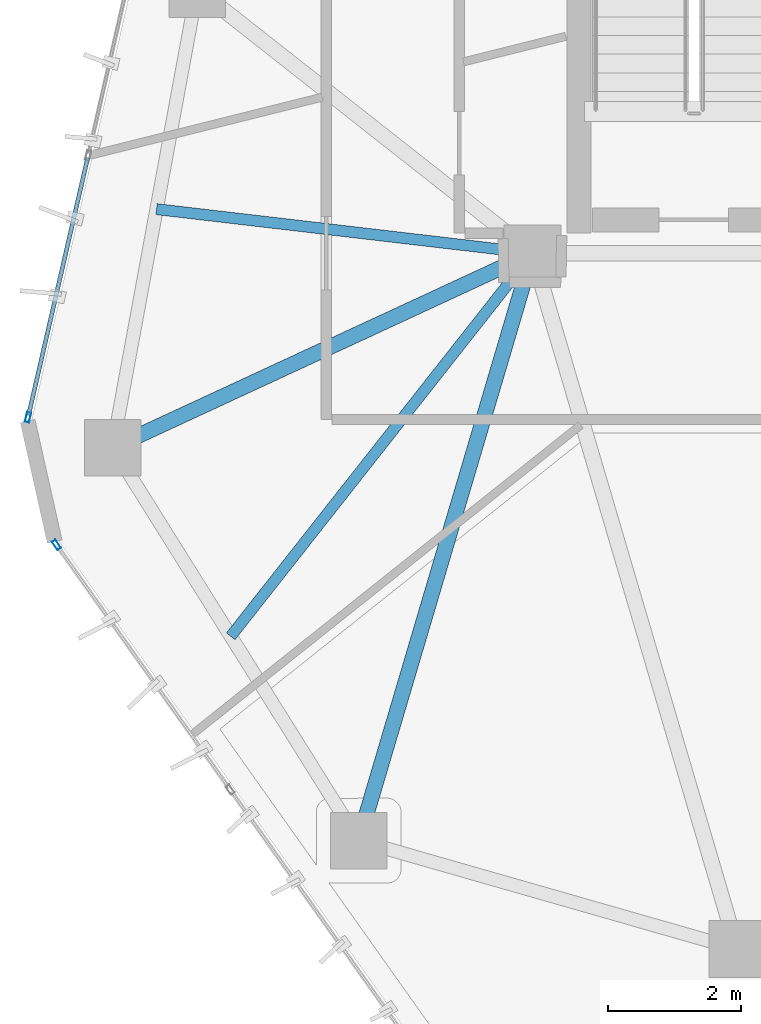
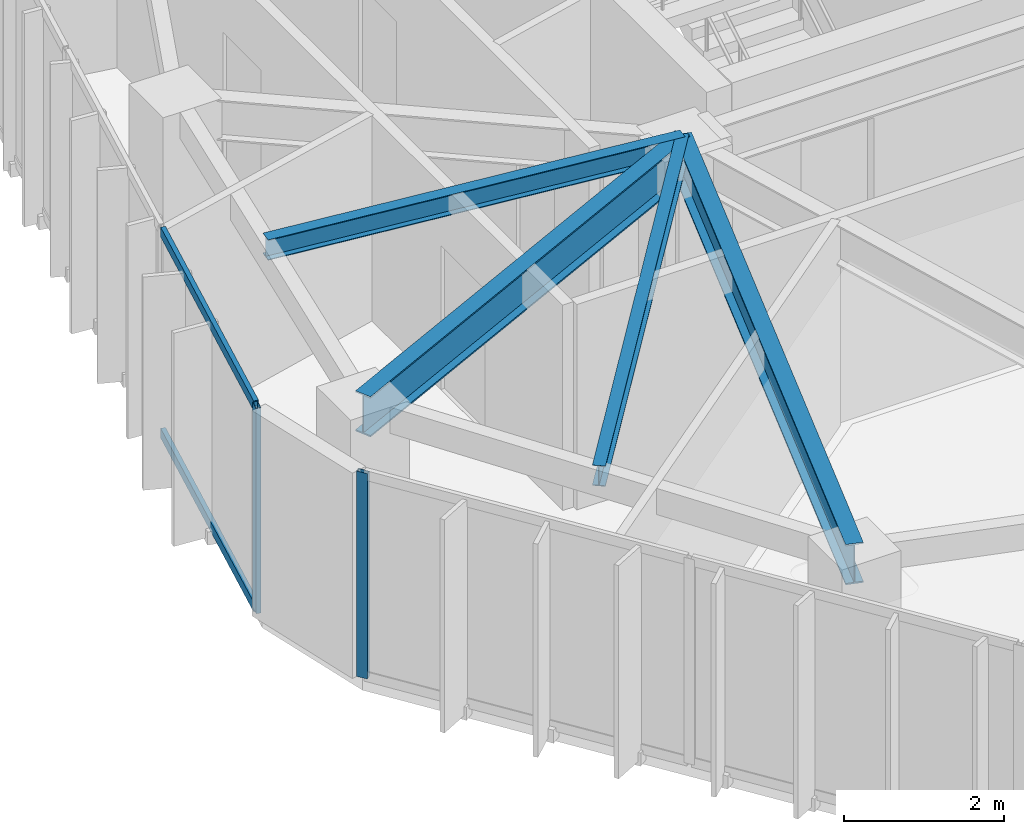
# One storey, part 4 of 20: 4 beams, 4 members, 2 elements without a shape of their own.
"""IFC4 building model written with IfcOpenShell, lengths in metres."""

from ifc_helpers import new_model, si_unit, direction, frame, origin, origin_2d, place, context, subcontext, project, spatial, hollow_rectangle, i_section, extrude, source, transform, mapped, material, layer, layer_set, material_profile, profile_set, type_object, type_shapes, element, aggregate, save


model = new_model("IFC4")

# Units and contexts
model_context = context("Model", 3, precision=1e-05, world=origin(), true_north=direction((0.0, 1.0)))
body_context = subcontext(model_context, "Body", "Model", "MODEL_VIEW")
ifc_project = project(units=[si_unit("LENGTHUNIT", "METRE"), si_unit("AREAUNIT", "SQUARE_METRE"), si_unit("VOLUMEUNIT", "CUBIC_METRE"), si_unit("PLANEANGLEUNIT", "RADIAN"), si_unit("MASSUNIT", "GRAM", prefix="KILO")], contexts=[model_context])

# Site, building, storey
site_placement = place(None, origin())
site = spatial("IfcSite", under=ifc_project, at=site_placement, CompositionType="ELEMENT")
building_placement = place(site_placement, origin())
building = spatial("IfcBuilding", under=site, at=building_placement, Name="Talar Marvaseh", CompositionType="ELEMENT")
storey_placement = place(building_placement, frame((0.0, 0.0, 247.60009765625)))
storey = spatial("IfcBuildingStorey", under=building, at=storey_placement, Name="L65", CompositionType="ELEMENT", Elevation=247.60009765625)

# Beams
ifc_material_1 = material(Name="Steel S355", Category="steel")
ifc_material_profile_1 = material_profile(ifc_material_1, i_section(OverallWidth=0.166015625, OverallDepth=0.31298828125, WebThickness=0.006591796875, FlangeThickness=0.01123046875, at=origin_2d()), Name="W310x45")
ifc_profile_set_1 = profile_set([ifc_material_profile_1], Name="Steel S355")
beam_type_1 = type_object("IfcBeamType", Name="Zone 3 Secondary Floor Joist W310x45", PredefinedType="JOIST", material=ifc_profile_set_1)
beam_1_placement = place(storey_placement, frame((13.048828125, 26.161376953125, 2.9833984375), z_axis=(0.993221011039, -0.116241228622, 0.0), x_axis=(0.116241228622, 0.993221011039, 0.0)))
element("IfcBeam", 1, at=beam_1_placement, inside=storey, type_object=beam_type_1, Name="L65 Zone 3 Secondary Floor Joist W310x45", PredefinedType="JOIST", context=body_context, shape_type="SweptSolid", body=[
    extrude(i_section(OverallWidth=0.166015625, OverallDepth=0.31298828125, WebThickness=0.006591796875, FlangeThickness=0.01123046875, at=origin_2d()), origin(), (0.0, 0.0, 1.0), 5.689697265625),
])
beam_2_placement = place(storey_placement, frame((14.1640625, 19.74072265625, 2.9833984375), z_axis=(0.618727137907, 0.785605962819, 0.0), x_axis=(-0.785605962819, 0.618727137907, 0.0)))
element("IfcBeam", 2, at=beam_2_placement, inside=storey, type_object=beam_type_1, Name="L65 Zone 3 Secondary Floor Joist W310x45", PredefinedType="JOIST", context=body_context, shape_type="SweptSolid", body=[
    extrude(i_section(OverallWidth=0.166015625, OverallDepth=0.31298828125, WebThickness=0.006591796875, FlangeThickness=0.01123046875, at=origin_2d()), origin(), (0.0, 0.0, 1.0), 7.3310546875),
])
ifc_material_profile_2 = material_profile(ifc_material_1, i_section(OverallWidth=0.22998046875, OverallDepth=0.616943359375, WebThickness=0.01318359375, FlangeThickness=0.022216796875, at=origin_2d()), Name="W610x140")
ifc_profile_set_2 = profile_set([ifc_material_profile_2], Name="Steel S355")
beam_type_2 = type_object("IfcBeamType", Name="Zone 4 Radial Floor Girder W610x140", PredefinedType="BEAM", material=ifc_profile_set_2)
beam_3_placement = place(storey_placement, frame((12.388916015625, 22.576904296875, 2.831298828125), z_axis=(0.907394527995, 0.420279871709, 0.0), x_axis=(-0.420279871709, 0.907394527995, 0.0)))
element("IfcBeam", 3, at=beam_3_placement, inside=storey, type_object=beam_type_2, Name="L65 Zone 4 Radial Floor Girder W610x140", PredefinedType="BEAM", context=body_context, shape_type="SweptSolid", body=[
    extrude(i_section(OverallWidth=0.22998046875, OverallDepth=0.616943359375, WebThickness=0.01318359375, FlangeThickness=0.022216796875, at=origin_2d()), origin(), (0.0, 0.0, 1.0), 6.955078125),
])
beam_4_placement = place(storey_placement, frame((16.0869140625, 16.66796875, 2.831298828125), z_axis=(0.283702937759, 0.958912218666, 0.0), x_axis=(-0.958912218666, 0.283702937759, 0.0)))
element("IfcBeam", 4, at=beam_4_placement, inside=storey, type_object=beam_type_2, Name="L65 Zone 4 Radial Floor Girder W610x140", PredefinedType="BEAM", context=body_context, shape_type="SweptSolid", body=[
    extrude(i_section(OverallWidth=0.22998046875, OverallDepth=0.616943359375, WebThickness=0.01318359375, FlangeThickness=0.022216796875, at=origin_2d()), origin(), (0.0, 0.0, 1.0), 9.21044921875),
])

# Curtain wall, member
ifc_material_2 = material(Name="Architectural Aluminium", Category="aluminium")
ifc_layer = layer(ifc_material_2, 0.179931640625)
ifc_layer_set = layer_set([ifc_layer], Name="Architectural Aluminium")
curtain_wall_type = type_object("IfcCurtainWallType", Name="Unitised High-Wind Sky Curtain Wall Z4", PredefinedType="NOTDEFINED", material=ifc_layer_set)
curtain_wall_1_placement = place(storey_placement, origin())
curtain_wall_1 = element("IfcCurtainWall", 5, at=curtain_wall_1_placement, inside=storey, type_object=curtain_wall_type, Name="L65 Unitised High-Wind Sky Curtain Wall Z4", PredefinedType="NOTDEFINED")
ifc_material_profile_3 = material_profile(ifc_material_2, hollow_rectangle(XDim=0.06494140625, YDim=0.14990234375, WallThickness=0.00390625, at=origin_2d()), Name="RHS150x65x4")
ifc_profile_set_3 = profile_set([ifc_material_profile_3], Name="Architectural Aluminium")
member_type_1 = type_object("IfcMemberType", Name="Unitised Curtain Wall Slim Mullion RHS150x65x4", PredefinedType="MULLION", material=ifc_profile_set_3)
shared_shape_1 = source(origin(), body_context, "Body", "SweptSolid", [
    extrude(hollow_rectangle(XDim=0.06494140625, YDim=0.14990234375, WallThickness=0.00390625, at=origin_2d()), origin(), (0.0, 0.0, 1.0), 3.139892578125),
])
type_shapes(member_type_1, [shared_shape_1])
member_1_placement = place(storey_placement, frame((11.545166015625, 21.11572265625, 0.0), z_axis=(0.0, 0.0, 1.0), x_axis=(-0.815673489833, -0.578512539176, 0.0)))
member_1 = element("IfcMember", 6, at=member_1_placement, type_object=member_type_1, Name="CW-Z4 mullion 4", PredefinedType="MULLION", context=body_context, shape_type="MappedRepresentation", body=[
    mapped(shared_shape_1, transform((0.0, 0.0, 0.0), x_axis=(1.0, 0.0, 0.0), y_axis=(0.0, 1.0, 0.0), z_axis=(0.0, 0.0, 1.0), scale=1.0)),
])
aggregate(curtain_wall_1, [member_1])

# Curtain wall, members
curtain_wall_2_placement = place(storey_placement, origin())
curtain_wall_2 = element("IfcCurtainWall", 7, at=curtain_wall_2_placement, inside=storey, type_object=curtain_wall_type, Name="L65 Unitised High-Wind Sky Curtain Wall Z4", PredefinedType="NOTDEFINED")
member_2_placement = place(storey_placement, frame((11.1181640625, 23.03369140625, 0.0), z_axis=(0.0, 0.0, 1.0), x_axis=(-0.974636944465, 0.223791926761, 0.0)))
member_2 = element("IfcMember", 8, at=member_2_placement, type_object=member_type_1, Name="CW-Z4 mullion 1", PredefinedType="MULLION", context=body_context, shape_type="MappedRepresentation", body=[
    mapped(shared_shape_1, transform((0.0, 0.0, 0.0), x_axis=(1.0, 0.0, 0.0), y_axis=(0.0, 1.0, 0.0), z_axis=(0.0, 0.0, 1.0), scale=1.0)),
])
ifc_material_profile_4 = material_profile(ifc_material_2, hollow_rectangle(XDim=0.06494140625, YDim=0.14990234375, WallThickness=0.00390625, at=origin_2d()), Name="RHS150x65x4")
ifc_profile_set_4 = profile_set([ifc_material_profile_4], Name="Architectural Aluminium")
member_type_2 = type_object("IfcMemberType", Name="Unitised Curtain Wall Slim Transom RHS150x65x4", PredefinedType="USERDEFINED", material=ifc_profile_set_4)
shared_shape_2 = source(origin(), body_context, "Body", "SweptSolid", [
    extrude(hollow_rectangle(XDim=0.06494140625, YDim=0.14990234375, WallThickness=0.00390625, at=origin_2d()), origin(), (0.0, 0.0, 1.0), 3.97119140625),
])
type_shapes(member_type_2, [shared_shape_2])
member_3_placement = place(storey_placement, frame((11.12548828125, 23.0654296875, 0.032470703125), z_axis=(0.223786238087, 0.974638250657, 0.0), x_axis=(-0.974638250657, 0.223786238087, 0.0)))
member_3 = element("IfcMember", 9, at=member_3_placement, type_object=member_type_2, Name="CW-Z4 transom 1.1", ObjectType="TRANSOM", PredefinedType="USERDEFINED", context=body_context, shape_type="MappedRepresentation", body=[
    mapped(shared_shape_2, transform((0.0, 0.0, 0.0), x_axis=(1.0, 0.0, 0.0), y_axis=(0.0, 1.0, 0.0), z_axis=(0.0, 0.0, 1.0), scale=1.0)),
])
member_4_placement = place(storey_placement, frame((11.12548828125, 23.0654296875, 3.107421875), z_axis=(0.223786238087, 0.974638250657, 0.0), x_axis=(-0.974638250657, 0.223786238087, 0.0)))
member_4 = element("IfcMember", 10, at=member_4_placement, type_object=member_type_2, Name="CW-Z4 transom 1.2", ObjectType="TRANSOM", PredefinedType="USERDEFINED", context=body_context, shape_type="MappedRepresentation", body=[
    mapped(shared_shape_2, transform((0.0, 0.0, 0.0), x_axis=(1.0, 0.0, 0.0), y_axis=(0.0, 1.0, 0.0), z_axis=(0.0, 0.0, 1.0), scale=1.0)),
])
aggregate(curtain_wall_2, [member_2, member_3, member_4])

save(model, "model.ifc")
